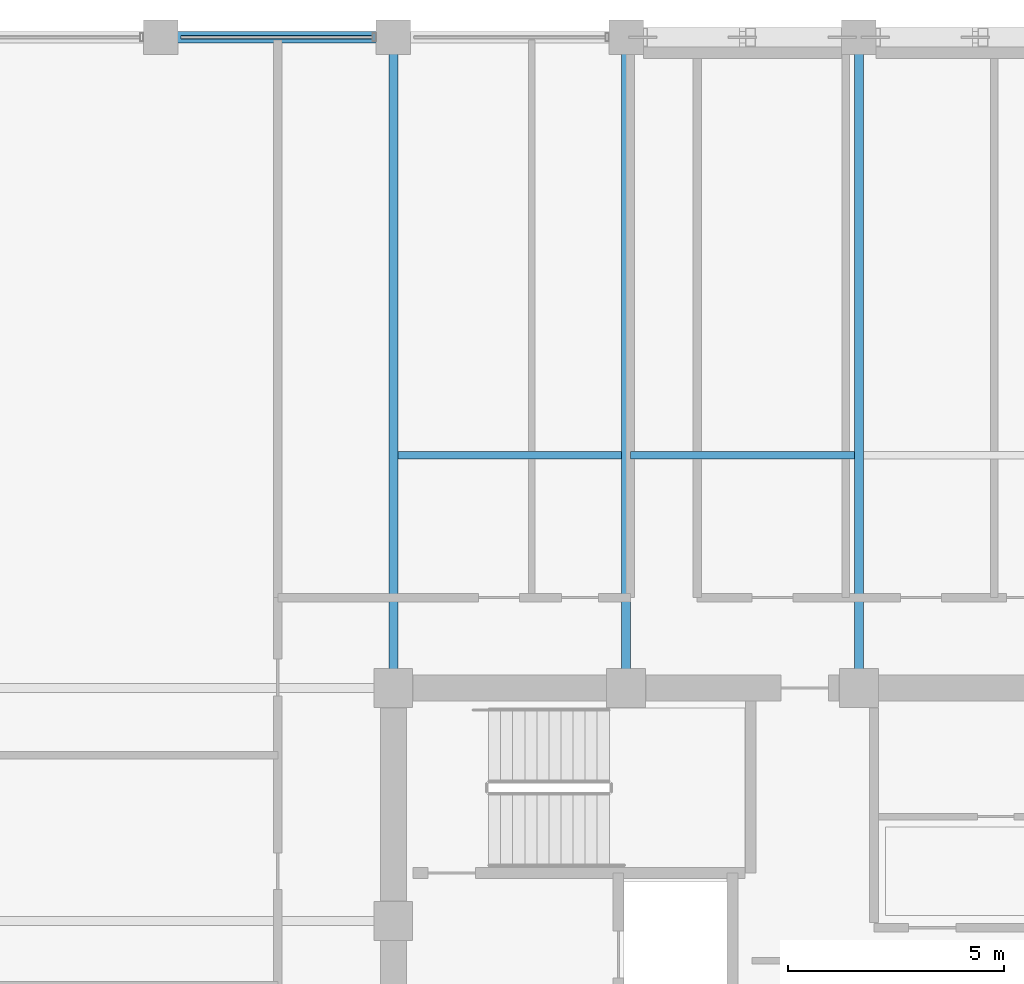
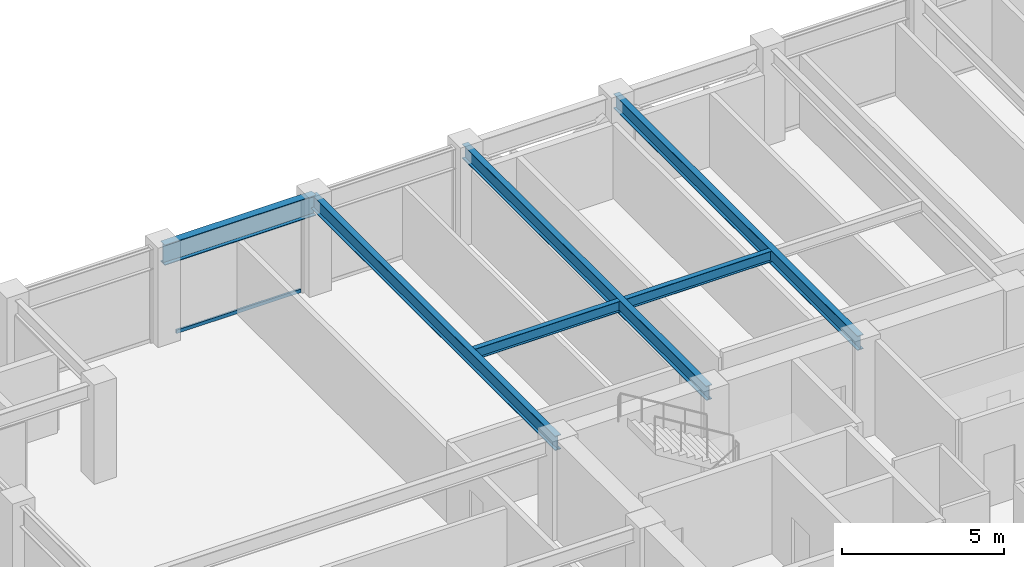
# One storey, part 16 of 28: 6 beams, 1 member, 1 element without a shape of its own.
"""IFC4 building model written with IfcOpenShell, lengths in metres."""

import ifcopenshell
import ifcopenshell.guid

model = None  # the IFC model being written
_history = None  # IfcOwnerHistory: only IFC2X3 demands one
_inside = {}  # id of a spatial element -> (the spatial element, [elements in it])
_under = {}  # id of a project, library or spatial element -> (it, [spatial elements below it])
_declared = {}  # id of a project -> (the project, [libraries it declares])
_typed = {}  # id of a type object -> (the type object, [elements of that type])
_made_of = {}  # id of a material, layer set ... -> (it, [elements and type objects made of it])


def new_model(schema):
    """Start an empty IFC model of exactly this schema.

    Asked for "IFC4X3", IfcOpenShell would pick the latest addendum, in which some entities
    have other attributes; the version numbers below select the first issue.
    IFC2X3 requires an IfcOwnerHistory on every rooted entity: one is made here for all.
    """
    global model, _history
    if schema == "IFC4X3":
        model = ifcopenshell.file(schema_version=(4, 3, 0, 0))
    else:
        model = ifcopenshell.file(schema=schema)
    _inside.clear()
    _under.clear()
    _declared.clear()
    _typed.clear()
    _made_of.clear()
    _history = None
    if model.schema == "IFC2X3":
        org = make("IfcOrganization", Name="unknown")
        user = make(
            "IfcPersonAndOrganization",
            ThePerson=make("IfcPerson", FamilyName="unknown"),
            TheOrganization=org,
        )
        app = make(
            "IfcApplication",
            ApplicationDeveloper=org,
            Version="unknown",
            ApplicationFullName="unknown",
            ApplicationIdentifier="unknown",
        )
        _history = make(
            "IfcOwnerHistory",
            OwningUser=user,
            OwningApplication=app,
            ChangeAction="ADDED",
            CreationDate=0,
        )
    return model


def make(cls, **values):
    """One entity of the class cls with the attributes given. An attribute that is None is left unset."""
    return model.create_entity(
        cls, **{name: value for name, value in values.items() if value is not None}
    )


def rooted(cls, **values):
    """An entity with a GlobalId (a new one), such as an element, a storey or a relation."""
    return make(cls, GlobalId=ifcopenshell.guid.new(), OwnerHistory=_history, **values)


def si_unit(unit_type, name, prefix=None):
    """IfcSIUnit, for example si_unit("LENGTHUNIT", "METRE", prefix="MILLI")."""
    return make("IfcSIUnit", UnitType=unit_type, Prefix=prefix, Name=name)


def assignment(units):
    """IfcUnitAssignment: the units of a project."""
    return None if units is None else make("IfcUnitAssignment", Units=units)


def point(xyz):
    """IfcCartesianPoint."""
    return None if xyz is None else make("IfcCartesianPoint", Coordinates=xyz)


def direction(xyz):
    """IfcDirection."""
    return None if xyz is None else make("IfcDirection", DirectionRatios=xyz)


def frame(location, z_axis=None, x_axis=None):
    """IfcAxis2Placement3D, a coordinate frame: its origin and axes. An axis left out is left unset."""
    return make(
        "IfcAxis2Placement3D",
        Location=point(location),
        Axis=direction(z_axis),
        RefDirection=direction(x_axis),
    )


def frame_2d(location, x_axis=None):
    """IfcAxis2Placement2D, a coordinate frame in the plane: its origin and x axis."""
    return make(
        "IfcAxis2Placement2D", Location=point(location), RefDirection=direction(x_axis)
    )


def origin():
    """The frame at (0, 0, 0) with its axes left unset."""
    return frame((0.0, 0.0, 0.0))


def origin_2d():
    """The frame at (0, 0) in the plane with its x axis left unset."""
    return frame_2d((0.0, 0.0))


def place(relative_to, where):
    """IfcLocalPlacement: puts the frame where relative to a parent placement (None: the world)."""
    return make(
        "IfcLocalPlacement", PlacementRelTo=relative_to, RelativePlacement=where
    )


def context(
    kind, dimensions, precision=None, world=None, true_north=None, identifier=None
):
    """IfcGeometricRepresentationContext, for example the 3D "Model" context."""
    return make(
        "IfcGeometricRepresentationContext",
        ContextIdentifier=identifier,
        ContextType=kind,
        CoordinateSpaceDimension=dimensions,
        Precision=precision,
        WorldCoordinateSystem=world,
        TrueNorth=true_north,
    )


def subcontext(parent, identifier, kind, view, scale=None):
    """IfcGeometricRepresentationSubContext, for example "Body" below "Model"."""
    return make(
        "IfcGeometricRepresentationSubContext",
        ContextIdentifier=identifier,
        ContextType=kind,
        ParentContext=parent,
        TargetScale=scale,
        TargetView=view,
    )


def project(units=None, contexts=None):
    """IfcProject with its units and contexts."""
    return rooted(
        "IfcProject",
        Name="project",
        RepresentationContexts=contexts,
        UnitsInContext=assignment(units),
    )


def spatial(cls, under=None, at=None, **own):
    """A site, building, storey or space (cls), placed at a placement, below another one or the project."""
    s = rooted(cls, ObjectPlacement=at, **own)
    if under is not None:
        _under.setdefault(under.id(), (under, []))[1].append(s)
    return s


def profile(cls, at=None, kind="AREA", **sizes):
    """A parametric profile (cls). Its sizes go by their IFC names, for example OverallWidth=200.0."""
    return make(cls, ProfileType=kind, Position=at, **sizes)


def hollow_rectangle(**sizes):
    """IfcRectangleHollowProfileDef."""
    return profile("IfcRectangleHollowProfileDef", **sizes)


def i_section(**sizes):
    """IfcIShapeProfileDef."""
    return profile("IfcIShapeProfileDef", **sizes)


def extrude(swept, where, along, depth):
    """IfcExtrudedAreaSolid: the profile swept, set in the frame where, extruded along a direction by depth."""
    return make(
        "IfcExtrudedAreaSolid",
        SweptArea=swept,
        Position=where,
        ExtrudedDirection=direction(along),
        Depth=depth,
    )


def shape(context_of_items, identifier, shape_type, items):
    """IfcShapeRepresentation: the items that make up one representation, for example the "Body"."""
    return make(
        "IfcShapeRepresentation",
        ContextOfItems=context_of_items,
        RepresentationIdentifier=identifier,
        RepresentationType=shape_type,
        Items=items,
    )


def material(Name=None, Category=None):
    """IfcMaterial."""
    return make("IfcMaterial", Name=Name, Category=Category)


def layer(
    of_material, thickness, ventilated=None, Name=None, Category=None, Priority=None
):
    """IfcMaterialLayer: one layer of a wall or slab, of a material (None: an air gap)."""
    return make(
        "IfcMaterialLayer",
        Material=of_material,
        LayerThickness=thickness,
        IsVentilated=ventilated,
        Name=Name,
        Category=Category,
        Priority=Priority,
    )


def layer_set(layers, Name=None):
    """IfcMaterialLayerSet."""
    return make("IfcMaterialLayerSet", MaterialLayers=layers, LayerSetName=Name)


def material_profile(
    of_material, cross_section, Name=None, Category=None, Priority=None
):
    """IfcMaterialProfile: a cross section and its material."""
    return make(
        "IfcMaterialProfile",
        Name=Name,
        Material=of_material,
        Profile=cross_section,
        Priority=Priority,
        Category=Category,
    )


def profile_set(profiles, Name=None, composite=None):
    """IfcMaterialProfileSet."""
    return make(
        "IfcMaterialProfileSet",
        Name=Name,
        MaterialProfiles=profiles,
        CompositeProfile=composite,
    )


def made_of(thing, what):
    """Note that an element or type object is made of a material, layer set ...; save() writes the relation."""
    if what is not None:
        _made_of.setdefault(what.id(), (what, []))[1].append(thing)
    return thing


def type_object(cls, material=None, **own):
    """A type object (cls), such as IfcWallType, which elements share."""
    return made_of(rooted(cls, **own), material)


def element(
    cls,
    number,
    at=None,
    inside=None,
    cuts=None,
    type_object=None,
    material=None,
    context=None,
    identifier="Body",
    shape_type=None,
    held_by="IfcProductDefinitionShape",
    body=None,
    shapes=None,
    **own,
):
    """One element of the class cls, such as IfcWall. Its Tag is "e" and its number.

    at: its placement. inside: the storey or other place that contains it. cuts: it is an
    opening in that element (IfcRelVoidsElement). A single representation is given by context,
    identifier, shape_type and body (its items); several are given by shapes. held_by: the class
    of the entity that holds the representations. save() writes the other relations.
    """
    e = rooted(cls, Tag="e%d" % number, ObjectPlacement=at, **own)
    if body is not None:
        shapes = [shape(context, identifier, shape_type, body)]
    if shapes is not None:
        e.Representation = make(held_by, Representations=shapes)
    if inside is not None:
        _inside.setdefault(inside.id(), (inside, []))[1].append(e)
    if cuts is not None:
        rooted(
            "IfcRelVoidsElement", RelatingBuildingElement=cuts, RelatedOpeningElement=e
        )
    if type_object is not None:
        _typed.setdefault(type_object.id(), (type_object, []))[1].append(e)
    return made_of(e, material)


def aggregate(whole, parts):
    """IfcRelAggregates: a whole, such as a stair, and the parts it consists of."""
    return rooted("IfcRelAggregates", RelatingObject=whole, RelatedObjects=parts)


def save(model, path):
    """Write the relations noted so far, then the file.

    IfcRelAggregates (storeys below a building ...), IfcRelContainedInSpatialStructure (elements
    in a storey), IfcRelDefinesByType, IfcRelAssociatesMaterial and IfcRelDeclares: one each for
    every whole, place, type object, material and project.
    """
    for whole, parts in _under.values():
        aggregate(whole, parts)
    for where, things in _inside.values():
        rooted(
            "IfcRelContainedInSpatialStructure",
            RelatedElements=things,
            RelatingStructure=where,
        )
    for kind, things in _typed.values():
        rooted("IfcRelDefinesByType", RelatedObjects=things, RelatingType=kind)
    for what, things in _made_of.values():
        rooted("IfcRelAssociatesMaterial", RelatedObjects=things, RelatingMaterial=what)
    for by, libraries in _declared.values():
        rooted("IfcRelDeclares", RelatingContext=by, RelatedDefinitions=libraries)
    model.write(path)


model = new_model("IFC4")

# Units and contexts
model_context = context("Model", 3, precision=1e-05, world=origin(), true_north=direction((0.0, 1.0)))
body_context = subcontext(model_context, "Body", "Model", "MODEL_VIEW")
ifc_project = project(units=[si_unit("LENGTHUNIT", "METRE"), si_unit("AREAUNIT", "SQUARE_METRE"), si_unit("VOLUMEUNIT", "CUBIC_METRE"), si_unit("PLANEANGLEUNIT", "RADIAN"), si_unit("MASSUNIT", "GRAM", prefix="KILO")], contexts=[model_context])

# Site, building, storey
site_placement = place(None, origin())
site = spatial("IfcSite", under=ifc_project, at=site_placement, CompositionType="ELEMENT")
building_placement = place(site_placement, origin())
building = spatial("IfcBuilding", under=site, at=building_placement, Name="Surkhivell Harbour Commons", CompositionType="ELEMENT")
storey_placement = place(building_placement, frame((0.0, 0.0, 242.25)))
storey = spatial("IfcBuildingStorey", under=building, at=storey_placement, Name="L63", CompositionType="ELEMENT", Elevation=242.25)

# Beams
ifc_material_1 = material(Name="Steel S355", Category="steel")
ifc_material_profile_1 = material_profile(ifc_material_1, i_section(OverallWidth=0.2119140625, OverallDepth=0.5439453125, WebThickness=0.0126953125, FlangeThickness=0.021240234375, at=origin_2d()), Name="UB533x210x122")
ifc_profile_set_1 = profile_set([ifc_material_profile_1], Name="Steel S355")
beam_type_1 = type_object("IfcBeamType", Name="BM-GRD-533A", PredefinedType="BEAM", material=ifc_profile_set_1)
for number, where, z_axis, x_axis, name in (
    (1, (-10.800048828125, 10.800048828125, 3.298095703125), (0.0, 1.0, 0.0), (-1.0, 0.0, 0.0), "L63 Floor Girder (-10.8,10.8)"),
    (2, (-5.39990234375, 10.800048828125, 3.298095703125), (0.0, 1.0, 0.0), (-1.0, 0.0, 0.0), "L63 Floor Girder (-5.4,10.8)"),
    (3, (0.0, 10.800048828125, 3.298095703125), (0.0, 1.0, 0.0), (-1.0, 0.0, 0.0), "L63 Floor Girder (0.0,10.8)"),
):
    element("IfcBeam", number, at=place(storey_placement, frame(where, z_axis=z_axis, x_axis=x_axis)), inside=storey, type_object=beam_type_1, Name=name, PredefinedType="BEAM", context=body_context, shape_type="SweptSolid", body=[
        extrude(i_section(OverallWidth=0.2119140625, OverallDepth=0.5439453125, WebThickness=0.0126953125, FlangeThickness=0.021240234375, at=origin_2d()), origin(), (0.0, 0.0, 1.0), 15.099853515625),
    ])
ifc_material_profile_2 = material_profile(ifc_material_1, i_section(OverallWidth=0.178955078125, OverallDepth=0.408935546875, WebThickness=0.0087890625, FlangeThickness=0.014404296875, at=origin_2d()), Name="UB406x178x67")
ifc_profile_set_2 = profile_set([ifc_material_profile_2], Name="Steel S355")
beam_type_2 = type_object("IfcBeamType", Name="BM-JST-406", PredefinedType="JOIST", material=ifc_profile_set_2)
beam_1_placement = place(storey_placement, frame((-10.696044921875, 16.199951171875, 3.365478515625), z_axis=(1.0, 0.0, 0.0), x_axis=(0.0, 1.0, 0.0)))
element("IfcBeam", 4, at=beam_1_placement, inside=storey, type_object=beam_type_2, Name="L63 North Composite Joist (-10.8)", PredefinedType="JOIST", context=body_context, shape_type="SweptSolid", body=[
    extrude(i_section(OverallWidth=0.178955078125, OverallDepth=0.408935546875, WebThickness=0.0087890625, FlangeThickness=0.014404296875, at=origin_2d()), origin(), (0.0, 0.0, 1.0), 5.192138671875),
])
beam_2_placement = place(storey_placement, frame((-5.2958984375, 16.199951171875, 3.365478515625), z_axis=(1.0, 0.0, 0.0), x_axis=(0.0, 1.0, 0.0)))
element("IfcBeam", 5, at=beam_2_placement, inside=storey, type_object=beam_type_2, Name="L63 North Composite Joist (-5.4)", PredefinedType="JOIST", context=body_context, shape_type="SweptSolid", body=[
    extrude(i_section(OverallWidth=0.178955078125, OverallDepth=0.408935546875, WebThickness=0.0087890625, FlangeThickness=0.014404296875, at=origin_2d()), origin(), (0.0, 0.0, 1.0), 5.19189453125),
])
ifc_material_profile_3 = material_profile(ifc_material_1, i_section(OverallWidth=0.26806640625, OverallDepth=0.77001953125, WebThickness=0.015625, FlangeThickness=0.025390625, at=origin_2d()), Name="UB762x267x197")
ifc_profile_set_3 = profile_set([ifc_material_profile_3], Name="Steel S355")
beam_type_3 = type_object("IfcBeamType", Name="BM-SPN-762", PredefinedType="SPANDREL", material=ifc_profile_set_3)
beam_3_placement = place(storey_placement, frame((-16.199951171875, 25.89990234375, 3.18505859375), z_axis=(1.0, 0.0, 0.0), x_axis=(0.0, 1.0, 0.0)))
element("IfcBeam", 6, at=beam_3_placement, inside=storey, type_object=beam_type_3, Name="L63 Tube Spandrel (-16.2,25.9)", PredefinedType="SPANDREL", context=body_context, shape_type="SweptSolid", body=[
    extrude(i_section(OverallWidth=0.26806640625, OverallDepth=0.77001953125, WebThickness=0.015625, FlangeThickness=0.025390625, at=origin_2d()), origin(), (0.0, 0.0, 1.0), 5.39990234375),
])

# Curtain wall, member
ifc_material_2 = material(Name="Anodised pale-metal aluminium and insulated glazing", Category="aluminium")
ifc_layer = layer(ifc_material_2, 0.18994140625)
ifc_layer_set = layer_set([ifc_layer], Name="Anodised pale-metal aluminium and insulated glazing")
curtain_wall_type = type_object("IfcCurtainWallType", Name="CW-SYS-Z3", PredefinedType="NOTDEFINED", material=ifc_layer_set)
curtain_wall_placement = place(storey_placement, origin())
curtain_wall = element("IfcCurtainWall", 7, at=curtain_wall_placement, inside=storey, type_object=curtain_wall_type, Name="L63 Curtain Wall CW-L63-E07S2", PredefinedType="NOTDEFINED")
ifc_material_3 = material(Name="Champagne anodised aluminium alloy 6063-T6", Category="aluminium")
ifc_material_profile_4 = material_profile(ifc_material_3, hollow_rectangle(XDim=0.070068359375, YDim=0.1298828125, WallThickness=0.00341796875, at=origin_2d()), Name="ALU-TRAN-70x130")
ifc_profile_set_4 = profile_set([ifc_material_profile_4], Name="Champagne anodised aluminium alloy 6063-T6")
member_type = type_object("IfcMemberType", Name="CWT-130", PredefinedType="USERDEFINED", material=ifc_profile_set_4)
member_placement = place(storey_placement, frame((-11.277099609375, 25.89990234375, 0.06494140625), z_axis=(-1.0, 0.0, 0.0), x_axis=(0.0, -1.0, 0.0)))
member = element("IfcMember", 8, at=member_placement, type_object=member_type, Name="CW-Z3 transom 2.1", ObjectType="TRANSOM", PredefinedType="USERDEFINED", context=body_context, shape_type="SweptSolid", body=[
    extrude(hollow_rectangle(XDim=0.070068359375, YDim=0.1298828125, WallThickness=0.00341796875, at=origin_2d()), origin(), (0.0, 0.0, 1.0), 4.44580078125),
])
aggregate(curtain_wall, [member])

save(model, "model.ifc")
